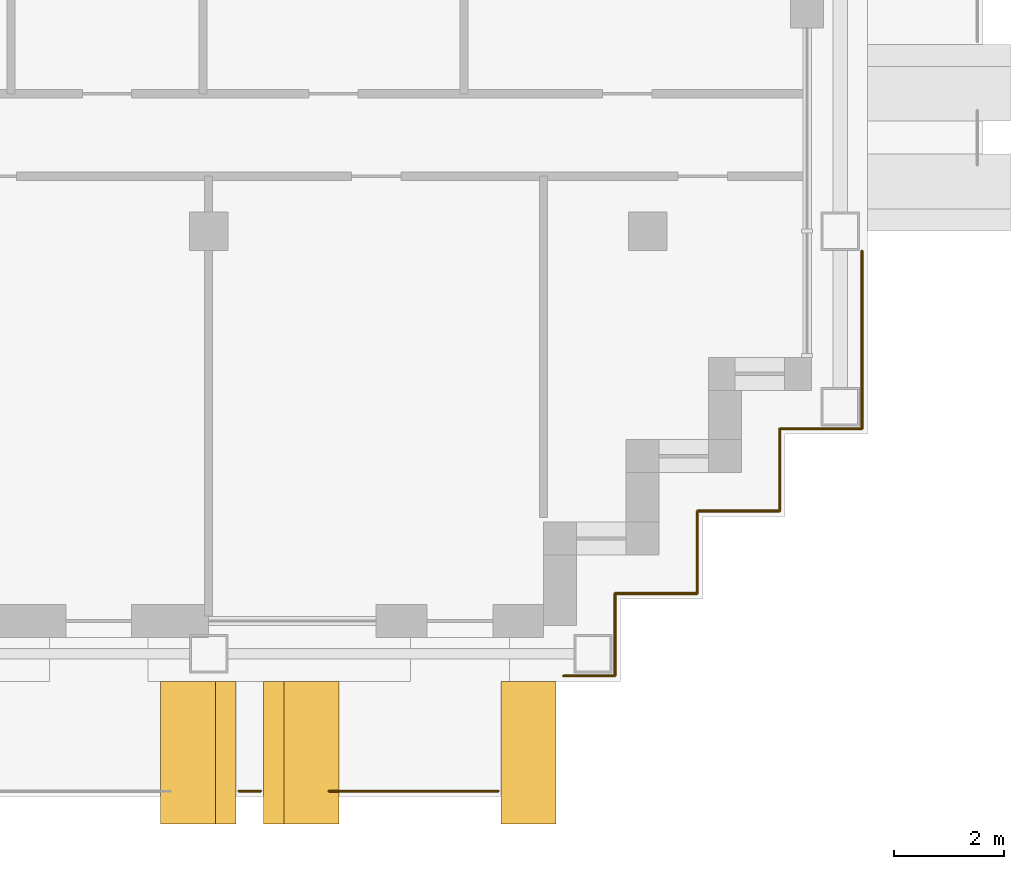
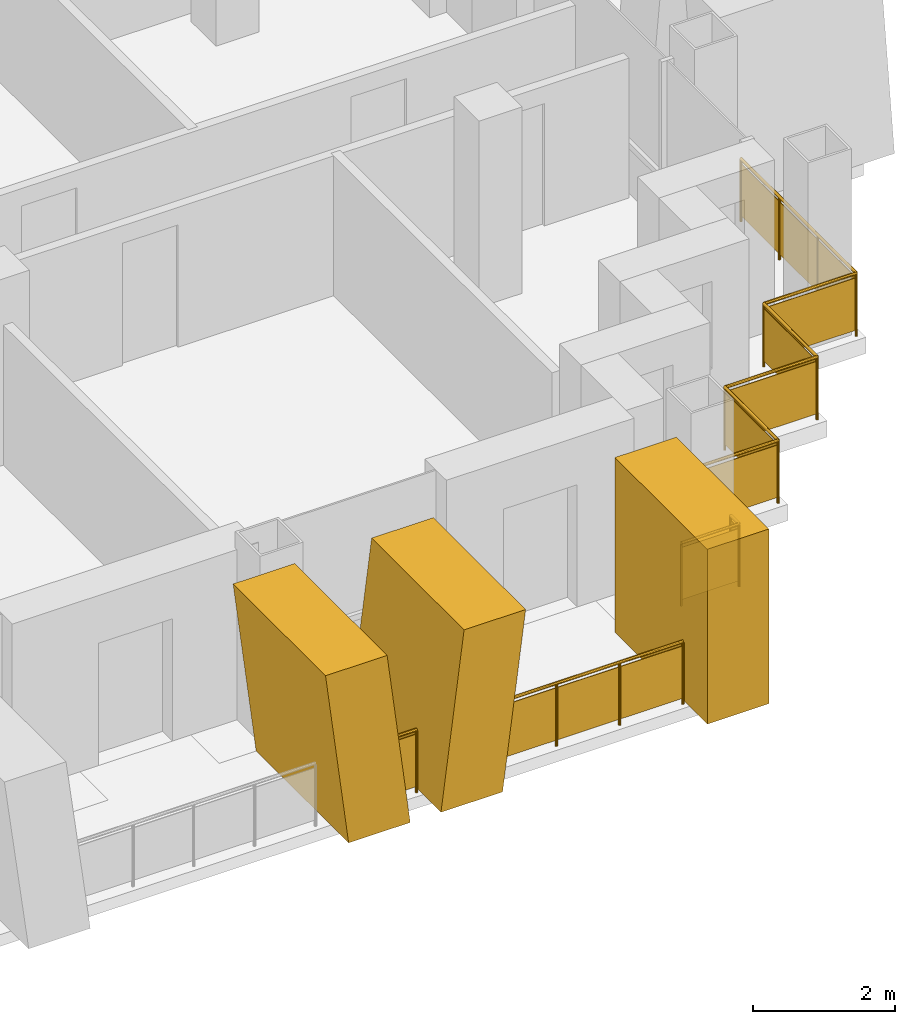
# One storey, part 14 of 16: 4 railings, 3 shading devices.
"""IFC4 building model written with IfcOpenShell, lengths in metres."""

from ifc_helpers import new_model, si_unit, direction, frame, origin, origin_2d, place, context, subcontext, project, spatial, polyline, rectangle, circle, outline, extrude, material, layer, layer_set, type_object, element, save


model = new_model("IFC4")

# Units and contexts
model_context = context("Model", 3, precision=1e-05, world=origin(), true_north=direction((0.0, 1.0)))
body_context = subcontext(model_context, "Body", "Model", "MODEL_VIEW")
ifc_project = project(units=[si_unit("LENGTHUNIT", "METRE"), si_unit("AREAUNIT", "SQUARE_METRE"), si_unit("VOLUMEUNIT", "CUBIC_METRE"), si_unit("PLANEANGLEUNIT", "RADIAN"), si_unit("MASSUNIT", "GRAM", prefix="KILO")], contexts=[model_context])

# Site, building, storey
site_placement = place(None, origin())
site = spatial("IfcSite", under=ifc_project, at=site_placement, CompositionType="ELEMENT")
building_placement = place(site_placement, origin())
building = spatial("IfcBuilding", under=site, at=building_placement, Name="Vidyagriha Tower", CompositionType="ELEMENT")
storey_placement = place(building_placement, frame((0.0, 0.0, 184.5)))
storey = spatial("IfcBuildingStorey", under=building, at=storey_placement, Name="L48", CompositionType="ELEMENT", Elevation=184.5)

# Railings
ifc_material_1 = material(Name="Steel ASTM A500 Grade C black painted", Category="steel")
railing_type_1 = type_object("IfcRailingType", Name="Balcony guard 1100", PredefinedType="BALUSTRADE", material=ifc_material_1)
railing_1_placement = place(storey_placement, frame((26.550048828125, -19.60009765625, 0.0)))
element("IfcRailing", 1, at=railing_1_placement, inside=storey, type_object=railing_type_1, Name="Balcony guard L48 R23.1-10", PredefinedType="BALUSTRADE", context=body_context, shape_type="SweptSolid", body=[
    extrude(circle(Radius=0.02490234375, at=origin_2d()), frame((0.0, 0.0, 1.0751953125), z_axis=(1.0, 0.0, 0.0), x_axis=(0.0, 1.0, 0.0)), (0.0, 0.0, 1.0), 0.39990234375),
    extrude(circle(Radius=0.02001953125, at=origin_2d()), origin(), (0.0, 0.0, 1.0), 1.050048828125),
    extrude(circle(Radius=0.02001953125, at=origin_2d()), frame((0.39990234375, 0.0, 0.0)), (0.0, 0.0, 1.0), 1.050048828125),
    extrude(rectangle(XDim=0.010009765625, YDim=0.900146484375, at=origin_2d()), frame((0.0, 0.0, 0.550048828125), z_axis=(1.0, 0.0, 0.0), x_axis=(0.0, 1.0, 0.0)), (0.0, 0.0, 1.0), 0.39990234375),
])
railing_2_placement = place(storey_placement, frame((28.19384765625, -19.60009765625, 0.0)))
element("IfcRailing", 2, at=railing_2_placement, inside=storey, type_object=railing_type_1, Name="Balcony guard L48 R23.1-11", PredefinedType="BALUSTRADE", context=body_context, shape_type="SweptSolid", body=[
    extrude(circle(Radius=0.02490234375, at=origin_2d()), frame((0.0, 0.0, 1.0751953125), z_axis=(1.0, 0.0, 0.0), x_axis=(0.0, 1.0, 0.0)), (0.0, 0.0, 1.0), 3.0810546875),
    extrude(circle(Radius=0.02001953125, at=origin_2d()), origin(), (0.0, 0.0, 1.0), 1.050048828125),
    extrude(circle(Radius=0.02001953125, at=origin_2d()), frame((1.027099609375, 0.0, 0.0)), (0.0, 0.0, 1.0), 1.050048828125),
    extrude(circle(Radius=0.02001953125, at=origin_2d()), frame((2.053955078125, 0.0, 0.0)), (0.0, 0.0, 1.0), 1.050048828125),
    extrude(circle(Radius=0.02001953125, at=origin_2d()), frame((3.0810546875, 0.0, 0.0)), (0.0, 0.0, 1.0), 1.050048828125),
    extrude(rectangle(XDim=0.010009765625, YDim=0.900146484375, at=origin_2d()), frame((0.0, 0.0, 0.550048828125), z_axis=(1.0, 0.0, 0.0), x_axis=(0.0, 1.0, 0.0)), (0.0, 0.0, 1.0), 3.0810546875),
])

# Shading devices
ifc_material_2 = material(Name="Precast concrete C40/50 with buff brick facing", Category="concrete")
ifc_layer_1 = layer(ifc_material_2, 1.0)
ifc_layer_set_1 = layer_set([ifc_layer_1], Name="Precast concrete C40/50 with buff brick facing")
shading_device_type_1 = type_object("IfcShadingDeviceType", Name="Brick-faced blade fin arm leaning 8 degrees", PredefinedType="USERDEFINED", material=ifc_layer_set_1)
shading_device_1_placement = place(storey_placement, frame((27.0, -18.89990234375, 0.0)))
element("IfcShadingDevice", 3, at=shading_device_1_placement, inside=storey, type_object=shading_device_type_1, Name="Leaning blade fin L48 R23.4610a", ObjectType="BLADE FIN", PredefinedType="USERDEFINED", context=body_context, shape_type="SweptSolid", body=[
    extrude(outline(polyline([(0.0, 0.0), (1.0, 0.0), (1.375, 3.0), (0.375, 3.0), (0.0, 0.0)])), frame((0.0, 1.300048828125, 0.0), z_axis=(0.0, -1.0, 0.0), x_axis=(1.0, 0.0, 0.0)), (0.0, 0.0, 1.0), 2.60009765625),
])
shading_device_2_placement = place(storey_placement, frame((25.125, -18.89990234375, 0.0)))
element("IfcShadingDevice", 4, at=shading_device_2_placement, inside=storey, type_object=shading_device_type_1, Name="Leaning blade fin L48 R23.4610b", ObjectType="BLADE FIN", PredefinedType="USERDEFINED", context=body_context, shape_type="SweptSolid", body=[
    extrude(outline(polyline([(0.375, 0.0), (1.375, 0.0), (1.0, 3.0), (0.0, 3.0), (0.375, 0.0)])), frame((0.0, 1.300048828125, 0.0), z_axis=(0.0, -1.0, 0.0), x_axis=(1.0, 0.0, 0.0)), (0.0, 0.0, 1.0), 2.60009765625),
])
ifc_material_3 = material(Name="Precast concrete C40/50 with buff brick facing", Category="concrete")
ifc_layer_2 = layer(ifc_material_3, 1.0)
ifc_layer_set_2 = layer_set([ifc_layer_2], Name="Precast concrete C40/50 with buff brick facing")
shading_device_type_2 = type_object("IfcShadingDeviceType", Name="Brick-faced blade fin stem 1000", PredefinedType="USERDEFINED", material=ifc_layer_set_2)
shading_device_3_placement = place(storey_placement, frame((31.324951171875, -18.89990234375, 0.0)))
element("IfcShadingDevice", 5, at=shading_device_3_placement, inside=storey, type_object=shading_device_type_2, Name="Stem blade fin L48 R23.5220a", ObjectType="BLADE FIN", PredefinedType="USERDEFINED", context=body_context, shape_type="SweptSolid", body=[
    extrude(outline(polyline([(0.0, 0.0), (1.0, 0.0), (1.0, 3.0), (0.0, 3.0), (0.0, 0.0)])), frame((0.0, 1.300048828125, 0.0), z_axis=(0.0, -1.0, 0.0), x_axis=(1.0, 0.0, 0.0)), (0.0, 0.0, 1.0), 2.60009765625),
])

# Railings
ifc_material_4 = material(Name="Steel ASTM A500 Grade C black painted", Category="steel")
railing_type_2 = type_object("IfcRailingType", Name="Gallery guard 1100", PredefinedType="GUARDRAIL", material=ifc_material_4)
railing_3_placement = place(storey_placement, frame((37.89990234375, -9.760009765625, 0.0)))
element("IfcRailing", 6, at=railing_3_placement, inside=storey, type_object=railing_type_2, Name="Gallery guard L48 9", PredefinedType="GUARDRAIL", context=body_context, shape_type="SweptSolid", body=[
    extrude(circle(Radius=0.02490234375, at=origin_2d()), frame((0.0, 0.0, 1.0751953125), z_axis=(0.0, -1.0, 0.0), x_axis=(1.0, 0.0, 0.0)), (0.0, 0.0, 1.0), 3.239990234375),
    extrude(circle(Radius=0.02490234375, at=origin_2d()), frame((0.0, -3.239990234375, 1.0751953125), z_axis=(-1.0, 0.0, 0.0), x_axis=(0.0, -1.0, 0.0)), (0.0, 0.0, 1.0), 1.5),
    extrude(circle(Radius=0.02490234375, at=origin_2d()), frame((-1.5, -3.239990234375, 1.0751953125), z_axis=(0.0, -1.0, 0.0), x_axis=(1.0, 0.0, 0.0)), (0.0, 0.0, 1.0), 1.5),
    extrude(circle(Radius=0.02490234375, at=origin_2d()), frame((-1.5, -4.739990234375, 1.0751953125), z_axis=(-1.0, 0.0, 0.0), x_axis=(0.0, -1.0, 0.0)), (0.0, 0.0, 1.0), 1.5),
    extrude(circle(Radius=0.02490234375, at=origin_2d()), frame((-3.0, -4.739990234375, 1.0751953125), z_axis=(0.0, -1.0, 0.0), x_axis=(1.0, 0.0, 0.0)), (0.0, 0.0, 1.0), 1.5),
    extrude(circle(Radius=0.02490234375, at=origin_2d()), frame((-3.0, -6.239990234375, 1.0751953125), z_axis=(-1.0, 0.0, 0.0), x_axis=(0.0, -1.0, 0.0)), (0.0, 0.0, 1.0), 1.5),
    extrude(circle(Radius=0.02490234375, at=origin_2d()), frame((-4.5, -6.239990234375, 1.0751953125), z_axis=(0.0, -1.0, 0.0), x_axis=(1.0, 0.0, 0.0)), (0.0, 0.0, 1.0), 1.260009765625),
    extrude(circle(Radius=0.02001953125, at=origin_2d()), origin(), (0.0, 0.0, 1.0), 1.050048828125),
    extrude(circle(Radius=0.02001953125, at=origin_2d()), frame((0.0, -1.080078125, 0.0)), (0.0, 0.0, 1.0), 1.050048828125),
    extrude(circle(Radius=0.02001953125, at=origin_2d()), frame((0.0, -2.159912109375, 0.0)), (0.0, 0.0, 1.0), 1.050048828125),
    extrude(circle(Radius=0.02001953125, at=origin_2d()), frame((0.0, -3.239990234375, 0.0)), (0.0, 0.0, 1.0), 1.050048828125),
    extrude(circle(Radius=0.02001953125, at=origin_2d()), frame((-1.5, -3.239990234375, 0.0)), (0.0, 0.0, 1.0), 1.050048828125),
    extrude(circle(Radius=0.02001953125, at=origin_2d()), frame((-1.5, -4.739990234375, 0.0)), (0.0, 0.0, 1.0), 1.050048828125),
    extrude(circle(Radius=0.02001953125, at=origin_2d()), frame((-3.0, -4.739990234375, 0.0)), (0.0, 0.0, 1.0), 1.050048828125),
    extrude(circle(Radius=0.02001953125, at=origin_2d()), frame((-3.0, -6.239990234375, 0.0)), (0.0, 0.0, 1.0), 1.050048828125),
    extrude(circle(Radius=0.02001953125, at=origin_2d()), frame((-4.5, -6.239990234375, 0.0)), (0.0, 0.0, 1.0), 1.050048828125),
    extrude(circle(Radius=0.02001953125, at=origin_2d()), frame((-4.5, -7.5, 0.0)), (0.0, 0.0, 1.0), 1.050048828125),
    extrude(rectangle(XDim=0.010009765625, YDim=0.900146484375, at=origin_2d()), frame((0.0, 0.0, 0.550048828125), z_axis=(0.0, -1.0, 0.0), x_axis=(1.0, 0.0, 0.0)), (0.0, 0.0, 1.0), 3.239990234375),
    extrude(rectangle(XDim=0.010009765625, YDim=0.900146484375, at=origin_2d()), frame((0.0, -3.239990234375, 0.550048828125), z_axis=(-1.0, 0.0, 0.0), x_axis=(0.0, -1.0, 0.0)), (0.0, 0.0, 1.0), 1.5),
    extrude(rectangle(XDim=0.010009765625, YDim=0.900146484375, at=origin_2d()), frame((-1.5, -3.239990234375, 0.550048828125), z_axis=(0.0, -1.0, 0.0), x_axis=(1.0, 0.0, 0.0)), (0.0, 0.0, 1.0), 1.5),
    extrude(rectangle(XDim=0.010009765625, YDim=0.900146484375, at=origin_2d()), frame((-1.5, -4.739990234375, 0.550048828125), z_axis=(-1.0, 0.0, 0.0), x_axis=(0.0, -1.0, 0.0)), (0.0, 0.0, 1.0), 1.5),
    extrude(rectangle(XDim=0.010009765625, YDim=0.900146484375, at=origin_2d()), frame((-3.0, -4.739990234375, 0.550048828125), z_axis=(0.0, -1.0, 0.0), x_axis=(1.0, 0.0, 0.0)), (0.0, 0.0, 1.0), 1.5),
    extrude(rectangle(XDim=0.010009765625, YDim=0.900146484375, at=origin_2d()), frame((-3.0, -6.239990234375, 0.550048828125), z_axis=(-1.0, 0.0, 0.0), x_axis=(0.0, -1.0, 0.0)), (0.0, 0.0, 1.0), 1.5),
    extrude(rectangle(XDim=0.010009765625, YDim=0.900146484375, at=origin_2d()), frame((-4.5, -6.239990234375, 0.550048828125), z_axis=(0.0, -1.0, 0.0), x_axis=(1.0, 0.0, 0.0)), (0.0, 0.0, 1.0), 1.260009765625),
])
railing_4_placement = place(storey_placement, frame((33.39990234375, -17.260009765625, 0.0)))
element("IfcRailing", 7, at=railing_4_placement, inside=storey, type_object=railing_type_2, Name="Gallery guard L48 10", PredefinedType="GUARDRAIL", context=body_context, shape_type="SweptSolid", body=[
    extrude(circle(Radius=0.02490234375, at=origin_2d()), frame((0.0, 0.0, 1.0751953125), z_axis=(0.0, -1.0, 0.0), x_axis=(1.0, 0.0, 0.0)), (0.0, 0.0, 1.0), 0.239990234375),
    extrude(circle(Radius=0.02490234375, at=origin_2d()), frame((0.0, -0.239990234375, 1.0751953125), z_axis=(-1.0, 0.0, 0.0), x_axis=(0.0, -1.0, 0.0)), (0.0, 0.0, 1.0), 0.93994140625),
    extrude(circle(Radius=0.02001953125, at=origin_2d()), origin(), (0.0, 0.0, 1.0), 1.050048828125),
    extrude(circle(Radius=0.02001953125, at=origin_2d()), frame((0.0, -0.239990234375, 0.0)), (0.0, 0.0, 1.0), 1.050048828125),
    extrude(circle(Radius=0.02001953125, at=origin_2d()), frame((-0.93994140625, -0.239990234375, 0.0)), (0.0, 0.0, 1.0), 1.050048828125),
    extrude(rectangle(XDim=0.010009765625, YDim=0.900146484375, at=origin_2d()), frame((0.0, 0.0, 0.550048828125), z_axis=(0.0, -1.0, 0.0), x_axis=(1.0, 0.0, 0.0)), (0.0, 0.0, 1.0), 0.239990234375),
    extrude(rectangle(XDim=0.010009765625, YDim=0.900146484375, at=origin_2d()), frame((0.0, -0.239990234375, 0.550048828125), z_axis=(-1.0, 0.0, 0.0), x_axis=(0.0, -1.0, 0.0)), (0.0, 0.0, 1.0), 0.93994140625),
])

save(model, "model.ifc")
